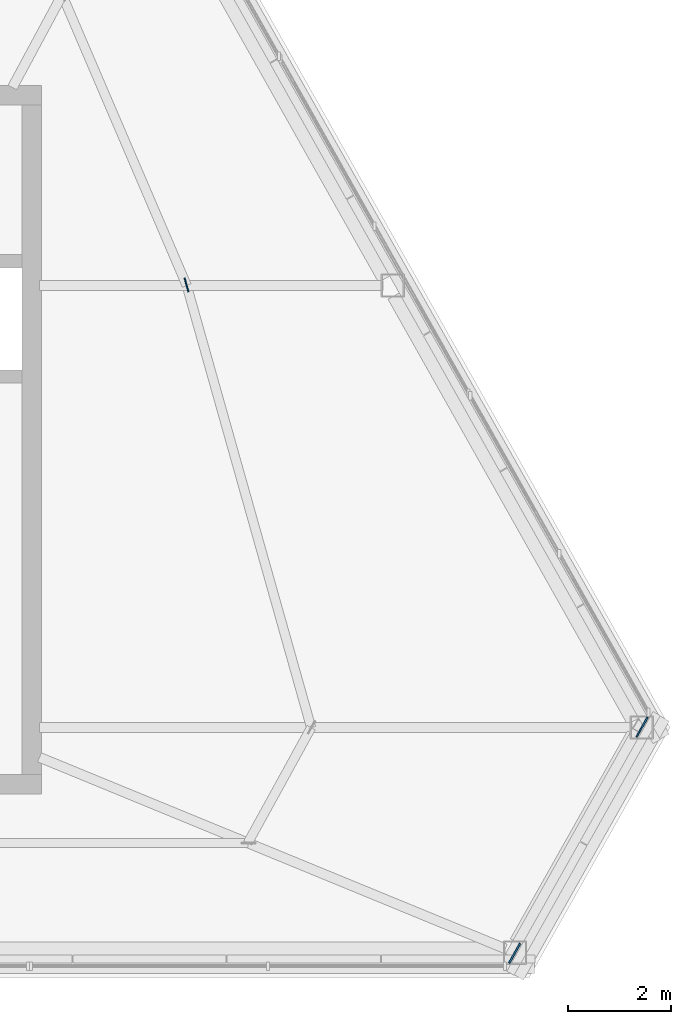
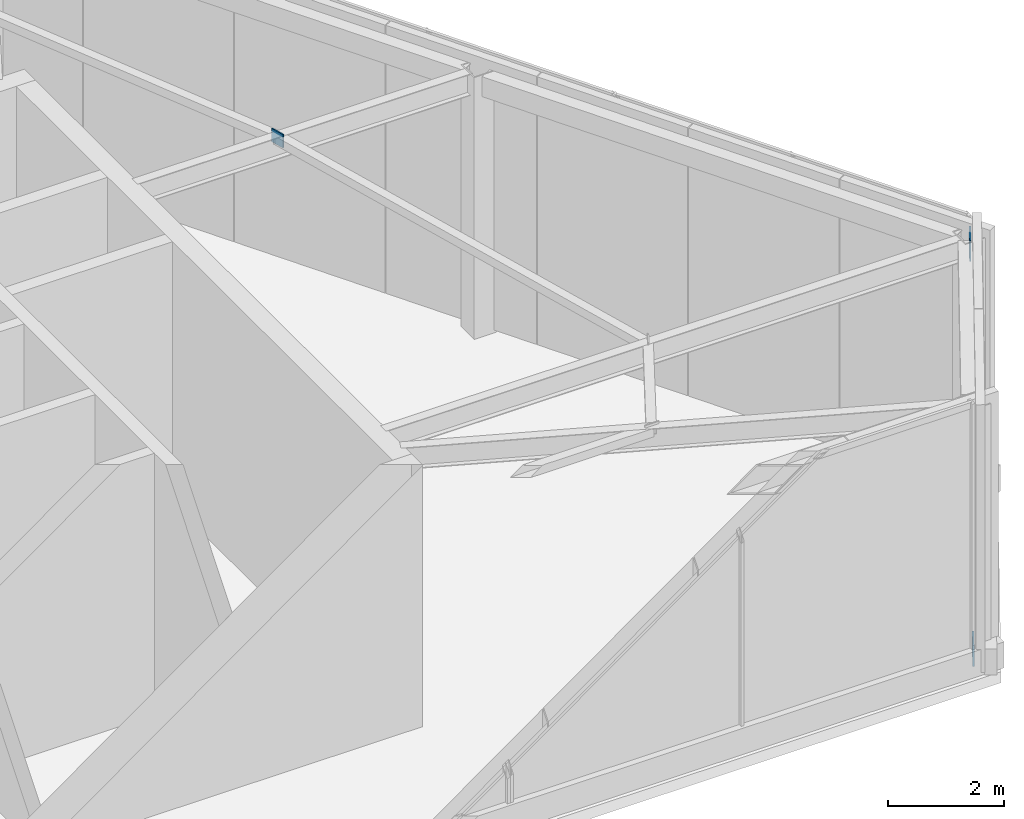
# One storey, part 10 of 12: 3 plates.
"""IFC4 building model written with IfcOpenShell, lengths in metres."""

from ifc_helpers import new_model, si_unit, direction, frame, origin, origin_2d, place, context, subcontext, project, spatial, rectangle, extrude, material, layer, layer_set, type_object, element, save


model = new_model("IFC4")

# Units and contexts
model_context = context("Model", 3, precision=1e-05, world=origin(), true_north=direction((0.0, 1.0)))
body_context = subcontext(model_context, "Body", "Model", "MODEL_VIEW")
ifc_project = project(units=[si_unit("LENGTHUNIT", "METRE"), si_unit("AREAUNIT", "SQUARE_METRE"), si_unit("VOLUMEUNIT", "CUBIC_METRE"), si_unit("PLANEANGLEUNIT", "RADIAN"), si_unit("MASSUNIT", "GRAM", prefix="KILO")], contexts=[model_context])

# Site, building, storey
site_placement = place(None, origin())
site = spatial("IfcSite", under=ifc_project, at=site_placement, CompositionType="ELEMENT")
building_placement = place(site_placement, origin())
building = spatial("IfcBuilding", under=site, at=building_placement, Name="Kavelnor Concourse Tower", CompositionType="ELEMENT")
storey_placement = place(building_placement, frame((0.0, 0.0, 315.699951171875)))
storey = spatial("IfcBuildingStorey", under=building, at=storey_placement, Name="L79", CompositionType="ELEMENT", Elevation=315.699951171875)

# Plates
ifc_material = material(Name="Steel Grade 350", Category="steel")
ifc_layer_1 = layer(ifc_material, 0.031982421875, Name="Steel Grade 350")
ifc_layer_set_1 = layer_set([ifc_layer_1], Name="Steel Grade 350")
plate_type_1 = type_object("IfcPlateType", Name="PL-GUSSET-TUBE-Z1", PredefinedType="USERDEFINED", material=ifc_layer_set_1)
for number, where, z_axis, x_axis, name in (
    (1, (57.09375, 6.12451171875, 0.080078125), (0.0, 0.0, 1.0), (0.490751690644, 0.871299476719, 0.0), "L79 Crown Brace 08 End Gusset A"),
    (2, (59.568115234375, 10.51806640625, 5.090087890625), (0.0, 0.0, 1.0), (0.490751690644, 0.871299476719, 0.0), "L79 Crown Brace 08 End Gusset B"),
):
    element("IfcPlate", number, at=place(storey_placement, frame(where, z_axis=z_axis, x_axis=x_axis)), inside=storey, type_object=plate_type_1, Name=name, ObjectType="GUSSET_PLATE", PredefinedType="USERDEFINED", context=body_context, shape_type="SweptSolid", body=[
        extrude(rectangle(XDim=0.43994140625, YDim=0.031982421875, at=origin_2d()), origin(), (0.0, 0.0, 1.0), 0.43994140625),
    ])
ifc_layer_2 = layer(ifc_material, 0.02490234375, Name="Steel Grade 350")
ifc_layer_set_2 = layer_set([ifc_layer_2], Name="Steel Grade 350")
plate_type_2 = type_object("IfcPlateType", Name="PL-SPLICE-FLANGE", PredefinedType="SHEET", material=ifc_layer_set_2)
plate_placement = place(storey_placement, frame((50.718994140625, 19.108642578125, 5.2900390625), z_axis=(0.0, 0.0, 1.0), x_axis=(-0.271104473079, 0.962549928407, 0.0)))
element("IfcPlate", 3, at=plate_placement, inside=storey, type_object=plate_type_2, Name="L79 Roof Purlin 09 End Gusset B", PredefinedType="SHEET", context=body_context, shape_type="SweptSolid", body=[
    extrude(rectangle(XDim=0.280029296875, YDim=0.02490234375, at=origin_2d()), origin(), (0.0, 0.0, 1.0), 0.280029296875),
])

save(model, "model.ifc")
